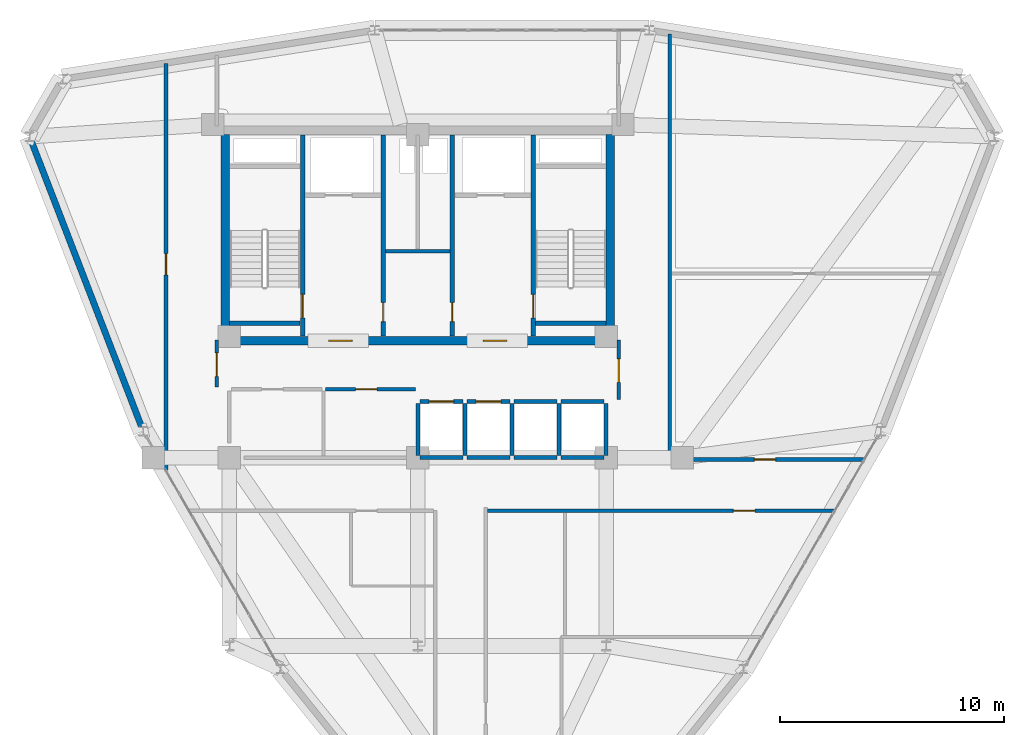
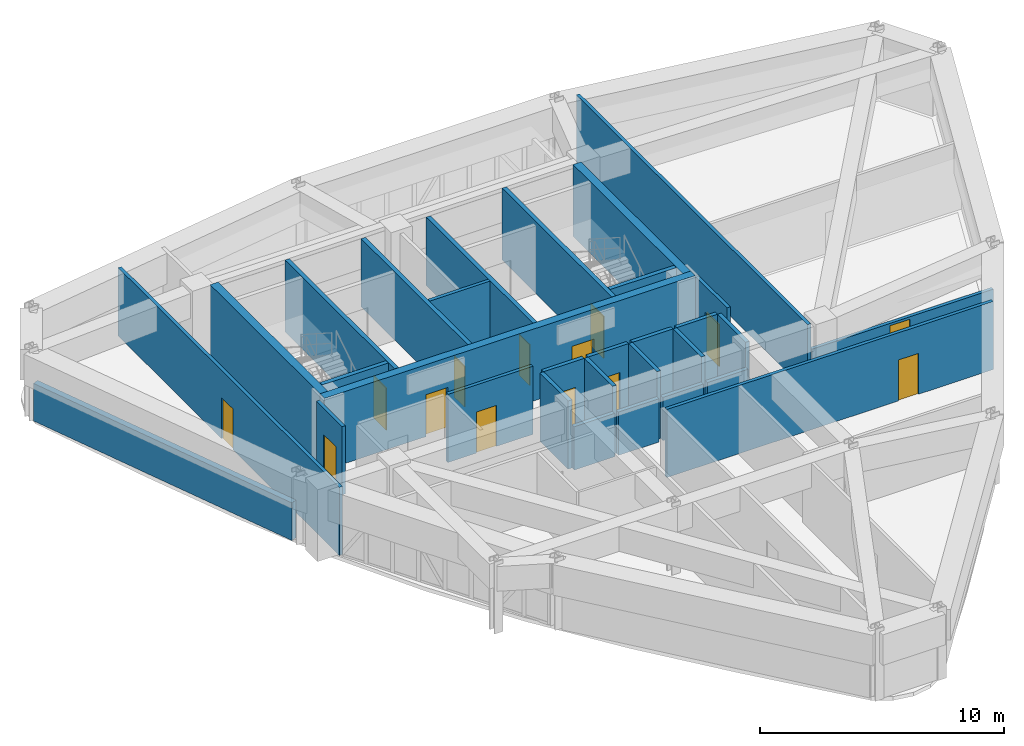
# One storey, part 17 of 19: 31 walls, 14 doors, 14 openings.
"""IFC4 building model written with IfcOpenShell, lengths in metres."""

from ifc_helpers import new_model, si_unit, derived_unit, direction, frame, frame_2d, origin, place, context, subcontext, project, spatial, rectangle, extrude, material, layer, layer_set, type_object, element, fill, save


model = new_model("IFC4")

# Units and contexts
model_context = context("Model", 3, precision=1e-05, world=origin(), true_north=direction((0.0, 1.0)))
body_context = subcontext(model_context, "Body", "Model", "MODEL_VIEW")
ifc_project = project(units=[si_unit("LENGTHUNIT", "METRE"), si_unit("AREAUNIT", "SQUARE_METRE"), si_unit("VOLUMEUNIT", "CUBIC_METRE"), si_unit("PLANEANGLEUNIT", "RADIAN"), si_unit("MASSUNIT", "GRAM", prefix="KILO"), derived_unit("THERMALTRANSMITTANCEUNIT", [(si_unit("POWERUNIT", "WATT"), 1), (si_unit("LENGTHUNIT", "METRE"), -2), (si_unit("THERMODYNAMICTEMPERATUREUNIT", "KELVIN"), -1)])], contexts=[model_context])

# Site, building, storey
site_placement = place(None, origin())
site = spatial("IfcSite", under=ifc_project, at=site_placement, CompositionType="ELEMENT")
building_placement = place(site_placement, origin())
building = spatial("IfcBuilding", under=site, at=building_placement, Name="Korsvarv Bourse and Concert Hall", CompositionType="ELEMENT")
storey_placement = place(building_placement, frame((0.0, 0.0, 223.800048828125)))
storey = spatial("IfcBuildingStorey", under=building, at=storey_placement, Name="L58", CompositionType="ELEMENT", Elevation=223.800048828125)

# Wall, openings, doors
ifc_material_1 = material(Name="Concrete C50/60", Category="concrete")
ifc_layer_1 = layer(ifc_material_1, 0.3798828125)
ifc_layer_set_1 = layer_set([ifc_layer_1], Name="Concrete C50/60")
wall_type_1 = type_object("IfcWallType", Name="WL-CORE-380", PredefinedType="SHEAR", material=ifc_layer_set_1)
wall_1_placement = place(storey_placement, frame((27.219970703125, 37.610107421875, 0.0), z_axis=(0.0, 0.0, 1.0), x_axis=(1.0, 0.0, 0.0)))
wall_1 = element("IfcWall", 1, at=wall_1_placement, inside=storey, type_object=wall_type_1, Name="L58 South Core Shear Wall", PredefinedType="SHEAR", context=body_context, shape_type="SweptSolid", body=[
    extrude(rectangle(XDim=17.56005859375, YDim=0.3798828125, at=frame_2d((8.780029296875, 0.0))), origin(), (0.0, 0.0, 1.0), 3.599853515625),
])
opening_1_placement = place(wall_1_placement, frame((4.804931640625, 0.0, 0.0)))
opening_1 = element("IfcOpeningElement", 2, at=opening_1_placement, cuts=wall_1, Name="Opening D-01", PredefinedType="OPENING", context=body_context, shape_type="SweptSolid", body=[
    extrude(rectangle(XDim=1.050048828125, YDim=2.10009765625, at=frame_2d((0.52490234375, 1.050048828125))), frame((0.0, 0.199951171875, 0.0), z_axis=(0.0, -1.0, 0.0), x_axis=(1.0, 0.0, 0.0)), (0.0, 0.0, 1.0), 0.39990234375),
])
opening_2_placement = place(wall_1_placement, frame((11.705078125, 0.0, 0.0)))
opening_2 = element("IfcOpeningElement", 3, at=opening_2_placement, cuts=wall_1, Name="Opening D-01", PredefinedType="OPENING", context=body_context, shape_type="SweptSolid", body=[
    extrude(rectangle(XDim=1.050048828125, YDim=2.10009765625, at=frame_2d((0.52490234375, 1.050048828125))), frame((0.0, 0.199951171875, 0.0), z_axis=(0.0, -1.0, 0.0), x_axis=(1.0, 0.0, 0.0)), (0.0, 0.0, 1.0), 0.39990234375),
])
ifc_material_2 = material(Name="Steel S355 fire door", Category="steel")
door_type_1 = type_object("IfcDoorType", Name="DR-FD60", OperationType="NOTDEFINED", PredefinedType="DOOR", material=ifc_material_2)
door_1_placement = place(opening_1_placement, frame((1.050048828125, 0.0, 0.0), z_axis=(0.0, 0.0, 1.0), x_axis=(-1.0, 0.0, 0.0)))
door_1 = element("IfcDoor", 4, at=door_1_placement, inside=storey, type_object=door_type_1, Name="L58 firefighting lobby fire door DR-L58-FFLW", OperationType="SINGLE_SWING_RIGHT", OverallHeight=2.10009765625, OverallWidth=1.050048828125, PredefinedType="DOOR", context=body_context, shape_type="SweptSolid", body=[
    extrude(rectangle(XDim=1.050048828125, YDim=2.10009765625, at=frame_2d((0.52490234375, 1.050048828125))), frame((0.0, 0.02490234375, 0.0), z_axis=(0.0, -1.0, 0.0), x_axis=(1.0, 0.0, 0.0)), (0.0, 0.0, 1.0), 0.050048828125),
])
fill(opening_1, door_1)
door_2_placement = place(opening_2_placement, frame((1.050048828125, 0.0, 0.0), z_axis=(0.0, 0.0, 1.0), x_axis=(-1.0, 0.0, 0.0)))
door_2 = element("IfcDoor", 5, at=door_2_placement, inside=storey, type_object=door_type_1, Name="L58 firefighting lobby fire door DR-L58-FFLE", OperationType="SINGLE_SWING_LEFT", OverallHeight=2.10009765625, OverallWidth=1.050048828125, PredefinedType="DOOR", context=body_context, shape_type="SweptSolid", body=[
    extrude(rectangle(XDim=1.050048828125, YDim=2.10009765625, at=frame_2d((0.52490234375, 1.050048828125))), frame((0.0, 0.02490234375, 0.0), z_axis=(0.0, -1.0, 0.0), x_axis=(1.0, 0.0, 0.0)), (0.0, 0.0, 1.0), 0.050048828125),
])
fill(opening_2, door_2)

# Walls
for number, where, z_axis, x_axis, name in (
    (6, (27.409912109375, 37.800048828125, 0.0), (0.0, 0.0, 1.0), (0.0, 1.0, 0.0), "L58 West Core Shear Wall"),
    (7, (44.590087890625, 37.800048828125, 0.0), (0.0, 0.0, 1.0), (0.0, 1.0, 0.0), "L58 East Core Shear Wall"),
):
    element("IfcWall", number, at=place(storey_placement, frame(where, z_axis=z_axis, x_axis=x_axis)), inside=storey, type_object=wall_type_1, Name=name, PredefinedType="SHEAR", context=body_context, shape_type="SweptSolid", body=[
        extrude(rectangle(XDim=9.0, YDim=0.3798828125, at=frame_2d((4.5, 0.0))), origin(), (0.0, 0.0, 1.0), 3.599853515625),
    ])

# Wall, opening, door
wall_2_placement = place(storey_placement, frame((30.860107421875, 37.81005859375, 0.0), z_axis=(0.0, 0.0, 1.0), x_axis=(0.0, 1.0, 0.0)))
wall_2 = element("IfcWall", 8, at=wall_2_placement, inside=storey, type_object=wall_type_1, Name="L58 stair shaft structural wall W-L58-ST1-E", PredefinedType="SHEAR", context=body_context, shape_type="SweptSolid", body=[
    extrude(rectangle(XDim=8.97998046875, YDim=0.199951171875, at=frame_2d((4.489990234375, 0.0))), origin(), (0.0, 0.0, 1.0), 3.599853515625),
])
opening_3_placement = place(wall_2_placement, frame((0.820068359375, 0.0, 0.0)))
opening_3 = element("IfcOpeningElement", 9, at=opening_3_placement, cuts=wall_2, Name="Opening D-01", PredefinedType="OPENING", context=body_context, shape_type="SweptSolid", body=[
    extrude(rectangle(XDim=1.050048828125, YDim=2.10009765625, at=frame_2d((0.52490234375, 1.050048828125))), frame((0.0, 0.10986328125, 0.0), z_axis=(0.0, -1.0, 0.0), x_axis=(1.0, 0.0, 0.0)), (0.0, 0.0, 1.0), 0.219970703125),
])
door_3_placement = place(opening_3_placement, origin())
door_3 = element("IfcDoor", 10, at=door_3_placement, inside=storey, type_object=door_type_1, Name="L58 interior door DR-L58-ST1", OperationType="SINGLE_SWING_LEFT", OverallHeight=2.10009765625, OverallWidth=1.050048828125, PredefinedType="DOOR", context=body_context, shape_type="SweptSolid", body=[
    extrude(rectangle(XDim=1.050048828125, YDim=2.10009765625, at=frame_2d((0.52490234375, 1.050048828125))), frame((0.0, 0.02490234375, 0.0), z_axis=(0.0, -1.0, 0.0), x_axis=(1.0, 0.0, 0.0)), (0.0, 0.0, 1.0), 0.050048828125),
])
fill(opening_3, door_3)

# Wall
wall_3_placement = place(storey_placement, frame((27.610107421875, 38.39990234375, 0.0), z_axis=(0.0, 0.0, 1.0), x_axis=(1.0, 0.0, 0.0)))
element("IfcWall", 11, at=wall_3_placement, inside=storey, type_object=wall_type_1, Name="L58 stair shaft structural wall W-L58-ST1-S", PredefinedType="SHEAR", context=body_context, shape_type="SweptSolid", body=[
    extrude(rectangle(XDim=3.139892578125, YDim=0.199951171875, at=frame_2d((1.56982421875, 0.0))), origin(), (0.0, 0.0, 1.0), 3.599853515625),
])

# Wall, opening, door
wall_4_placement = place(storey_placement, frame((41.139892578125, 37.81005859375, 0.0), z_axis=(0.0, 0.0, 1.0), x_axis=(0.0, 1.0, 0.0)))
wall_4 = element("IfcWall", 12, at=wall_4_placement, inside=storey, type_object=wall_type_1, Name="L58 stair shaft structural wall W-L58-ST2-W", PredefinedType="SHEAR", context=body_context, shape_type="SweptSolid", body=[
    extrude(rectangle(XDim=8.97998046875, YDim=0.199951171875, at=frame_2d((4.489990234375, 0.0))), origin(), (0.0, 0.0, 1.0), 3.599853515625),
])
opening_4_placement = place(wall_4_placement, frame((0.820068359375, 0.0, 0.0)))
opening_4 = element("IfcOpeningElement", 13, at=opening_4_placement, cuts=wall_4, Name="Opening D-01", PredefinedType="OPENING", context=body_context, shape_type="SweptSolid", body=[
    extrude(rectangle(XDim=1.050048828125, YDim=2.10009765625, at=frame_2d((0.52490234375, 1.050048828125))), frame((0.0, 0.10986328125, 0.0), z_axis=(0.0, -1.0, 0.0), x_axis=(1.0, 0.0, 0.0)), (0.0, 0.0, 1.0), 0.219970703125),
])
door_4_placement = place(opening_4_placement, frame((1.050048828125, 0.0, 0.0), z_axis=(0.0, 0.0, 1.0), x_axis=(-1.0, 0.0, 0.0)))
door_4 = element("IfcDoor", 14, at=door_4_placement, inside=storey, type_object=door_type_1, Name="L58 interior door DR-L58-ST2", OperationType="SINGLE_SWING_RIGHT", OverallHeight=2.10009765625, OverallWidth=1.050048828125, PredefinedType="DOOR", context=body_context, shape_type="SweptSolid", body=[
    extrude(rectangle(XDim=1.050048828125, YDim=2.10009765625, at=frame_2d((0.52490234375, 1.050048828125))), frame((0.0, 0.02490234375, 0.0), z_axis=(0.0, -1.0, 0.0), x_axis=(1.0, 0.0, 0.0)), (0.0, 0.0, 1.0), 0.050048828125),
])
fill(opening_4, door_4)

# Walls
wall_5_placement = place(storey_placement, frame((41.25, 38.39990234375, 0.0), z_axis=(0.0, 0.0, 1.0), x_axis=(1.0, 0.0, 0.0)))
element("IfcWall", 15, at=wall_5_placement, inside=storey, type_object=wall_type_1, Name="L58 stair shaft structural wall W-L58-ST2-S", PredefinedType="SHEAR", context=body_context, shape_type="SweptSolid", body=[
    extrude(rectangle(XDim=3.139892578125, YDim=0.199951171875, at=frame_2d((1.56982421875, 0.0))), origin(), (0.0, 0.0, 1.0), 3.599853515625),
])
ifc_material_3 = material(Name="Precast concrete C45/55 with fluted terracotta pier", Category="concrete")
ifc_layer_2 = layer(ifc_material_3, 0.280029296875)
ifc_layer_set_2 = layer_set([ifc_layer_2], Name="Precast concrete C45/55 with fluted terracotta pier")
wall_type_2 = type_object("IfcWallType", Name="WL-EXT-TC2", PredefinedType="SOLIDWALL", material=ifc_layer_set_2)
wall_6_placement = place(storey_placement, frame((18.775146484375, 46.495361328125, 0.0), z_axis=(0.0, 0.0, 1.0), x_axis=(0.359956541612, -0.93296907138, 0.0)))
element("IfcWall", 16, at=wall_6_placement, inside=storey, type_object=wall_type_2, Name="L58 terracotta exterior wall EW-L58-B06", PredefinedType="SOLIDWALL", context=body_context, shape_type="SweptSolid", body=[
    extrude(rectangle(XDim=13.621337890625, YDim=0.280029296875, at=frame_2d((6.810546875, 0.0))), origin(), (0.0, 0.0, 1.0), 1.8798828125),
])

# Wall, opening, door
ifc_material_4 = material(Name="Reinforced concrete blockwork C35/45 fire wall", Category="concrete")
ifc_layer_3 = layer(ifc_material_4, 0.199951171875)
ifc_layer_set_3 = layer_set([ifc_layer_3], Name="Reinforced concrete blockwork C35/45 fire wall")
wall_type_3 = type_object("IfcWallType", Name="WL-INT-EI120", PredefinedType="PARTITIONING", material=ifc_layer_set_3)
wall_7_placement = place(storey_placement, frame((34.4599609375, 37.81005859375, 0.0), z_axis=(0.0, 0.0, 1.0), x_axis=(0.0, 1.0, 0.0)))
wall_7 = element("IfcWall", 17, at=wall_7_placement, inside=storey, type_object=wall_type_3, Name="L58 interior partition wall W-L58-CSB-W", PredefinedType="PARTITIONING", context=body_context, shape_type="SweptSolid", body=[
    extrude(rectangle(XDim=8.97998046875, YDim=0.199951171875, at=frame_2d((4.489990234375, 0.0))), origin(), (0.0, 0.0, 1.0), 3.409912109375),
])
opening_5_placement = place(wall_7_placement, frame((0.64990234375, 0.0, 0.0)))
opening_5 = element("IfcOpeningElement", 18, at=opening_5_placement, cuts=wall_7, Name="Opening D-05", PredefinedType="OPENING", context=body_context, shape_type="SweptSolid", body=[
    extrude(rectangle(XDim=0.85009765625, YDim=2.050048828125, at=frame_2d((0.425048828125, 1.02490234375))), frame((0.0, 0.10986328125, 0.0), z_axis=(0.0, -1.0, 0.0), x_axis=(1.0, 0.0, 0.0)), (0.0, 0.0, 1.0), 0.219970703125),
])
door_type_2 = type_object("IfcDoorType", Name="DR-FD60-850X2050", OperationType="NOTDEFINED", PredefinedType="DOOR", material=ifc_material_2)
door_5_placement = place(opening_5_placement, frame((0.85009765625, 0.0, 0.0), z_axis=(0.0, 0.0, 1.0), x_axis=(-1.0, 0.0, 0.0)))
door_5 = element("IfcDoor", 19, at=door_5_placement, inside=storey, type_object=door_type_2, Name="L58 interior door DR-L58-CSB1", OperationType="SINGLE_SWING_LEFT", OverallHeight=2.050048828125, OverallWidth=0.85009765625, PredefinedType="DOOR", context=body_context, shape_type="SweptSolid", body=[
    extrude(rectangle(XDim=0.85009765625, YDim=2.050048828125, at=frame_2d((0.425048828125, 1.02490234375))), frame((0.0, 0.02490234375, 0.0), z_axis=(0.0, -1.0, 0.0), x_axis=(1.0, 0.0, 0.0)), (0.0, 0.0, 1.0), 0.050048828125),
])
fill(opening_5, door_5)

wall_8_placement = place(storey_placement, frame((37.5400390625, 37.81005859375, 0.0), z_axis=(0.0, 0.0, 1.0), x_axis=(0.0, 1.0, 0.0)))
wall_8 = element("IfcWall", 20, at=wall_8_placement, inside=storey, type_object=wall_type_3, Name="L58 interior partition wall W-L58-CSB-E", PredefinedType="PARTITIONING", context=body_context, shape_type="SweptSolid", body=[
    extrude(rectangle(XDim=8.97998046875, YDim=0.199951171875, at=frame_2d((4.489990234375, 0.0))), origin(), (0.0, 0.0, 1.0), 3.409912109375),
])
opening_6_placement = place(wall_8_placement, frame((0.64990234375, 0.0, 0.0)))
opening_6 = element("IfcOpeningElement", 21, at=opening_6_placement, cuts=wall_8, Name="Opening D-05", PredefinedType="OPENING", context=body_context, shape_type="SweptSolid", body=[
    extrude(rectangle(XDim=0.85009765625, YDim=2.050048828125, at=frame_2d((0.425048828125, 1.02490234375))), frame((0.0, 0.10986328125, 0.0), z_axis=(0.0, -1.0, 0.0), x_axis=(1.0, 0.0, 0.0)), (0.0, 0.0, 1.0), 0.219970703125),
])
door_6_placement = place(opening_6_placement, origin())
door_6 = element("IfcDoor", 22, at=door_6_placement, inside=storey, type_object=door_type_2, Name="L58 interior door DR-L58-CSB2", OperationType="SINGLE_SWING_RIGHT", OverallHeight=2.050048828125, OverallWidth=0.85009765625, PredefinedType="DOOR", context=body_context, shape_type="SweptSolid", body=[
    extrude(rectangle(XDim=0.85009765625, YDim=2.050048828125, at=frame_2d((0.425048828125, 1.02490234375))), frame((0.0, 0.02490234375, 0.0), z_axis=(0.0, -1.0, 0.0), x_axis=(1.0, 0.0, 0.0)), (0.0, 0.0, 1.0), 0.050048828125),
])
fill(opening_6, door_6)

# Wall
ifc_material_5 = material(Name="Double-stud fire-rated acoustic partition", Category="gypsum")
ifc_layer_4 = layer(ifc_material_5, 0.159912109375)
ifc_layer_set_4 = layer_set([ifc_layer_4], Name="Double-stud fire-rated acoustic partition")
wall_type_4 = type_object("IfcWallType", Name="WL-INT-EI60", PredefinedType="PARTITIONING", material=ifc_layer_set_4)
wall_9_placement = place(storey_placement, frame((34.570068359375, 41.60009765625, 0.0), z_axis=(0.0, 0.0, 1.0), x_axis=(1.0, 0.0, 0.0)))
element("IfcWall", 23, at=wall_9_placement, inside=storey, type_object=wall_type_4, Name="L58 interior partition wall W-L58-K1", PredefinedType="PARTITIONING", context=body_context, shape_type="SweptSolid", body=[
    extrude(rectangle(XDim=2.85986328125, YDim=0.159912109375, at=frame_2d((1.429931640625, 0.0))), origin(), (0.0, 0.0, 1.0), 3.409912109375),
])

# Wall, opening, door
wall_10_placement = place(storey_placement, frame((31.8798828125, 35.449951171875, 0.0), z_axis=(0.0, 0.0, 1.0), x_axis=(1.0, 0.0, 0.0)))
wall_10 = element("IfcWall", 24, at=wall_10_placement, inside=storey, type_object=wall_type_4, Name="L58 interior partition wall W-L58-FRD-N2", PredefinedType="PARTITIONING", context=body_context, shape_type="SweptSolid", body=[
    extrude(rectangle(XDim=4.02001953125, YDim=0.159912109375, at=frame_2d((2.010009765625, 0.0))), origin(), (0.0, 0.0, 1.0), 3.409912109375),
])
opening_7_placement = place(wall_10_placement, frame((1.35009765625, 0.0, 0.0)))
opening_7 = element("IfcOpeningElement", 25, at=opening_7_placement, cuts=wall_10, Name="Opening D-03", PredefinedType="OPENING", context=body_context, shape_type="SweptSolid", body=[
    extrude(rectangle(XDim=0.949951171875, YDim=2.050048828125, at=frame_2d((0.47509765625, 1.02490234375))), frame((0.0, 0.08984375, 0.0), z_axis=(0.0, -1.0, 0.0), x_axis=(1.0, 0.0, 0.0)), (0.0, 0.0, 1.0), 0.179931640625),
])
ifc_material_6 = material(Name="Nordic oak acoustic office door", Category="wood")
door_type_3 = type_object("IfcDoorType", Name="DR-INT-1", OperationType="NOTDEFINED", PredefinedType="DOOR", material=ifc_material_6)
door_7_placement = place(opening_7_placement, origin())
door_7 = element("IfcDoor", 26, at=door_7_placement, inside=storey, type_object=door_type_3, Name="L58 interior door DR-L58-FRDN2", OperationType="SINGLE_SWING_RIGHT", OverallHeight=2.050048828125, OverallWidth=0.949951171875, PredefinedType="DOOR", context=body_context, shape_type="SweptSolid", body=[
    extrude(rectangle(XDim=0.949951171875, YDim=2.050048828125, at=frame_2d((0.47509765625, 1.02490234375))), frame((0.0, 0.02490234375, 0.0), z_axis=(0.0, -1.0, 0.0), x_axis=(1.0, 0.0, 0.0)), (0.0, 0.0, 1.0), 0.050048828125),
])
fill(opening_7, door_7)

wall_11_placement = place(storey_placement, frame((27.0400390625, 35.5400390625, 0.0), z_axis=(0.0, 0.0, 1.0), x_axis=(0.0, 1.0, 0.0)))
wall_11 = element("IfcWall", 27, at=wall_11_placement, inside=storey, type_object=wall_type_4, Name="L58 interior partition wall W-L58-LOB-WL", PredefinedType="PARTITIONING", context=body_context, shape_type="SweptSolid", body=[
    extrude(rectangle(XDim=2.10986328125, YDim=0.159912109375, at=frame_2d((1.054931640625, 0.0))), origin(), (0.0, 0.0, 1.0), 3.409912109375),
])
opening_8_placement = place(wall_11_placement, frame((0.47998046875, 0.0, 0.0)))
opening_8 = element("IfcOpeningElement", 28, at=opening_8_placement, cuts=wall_11, Name="Opening D-01", PredefinedType="OPENING", context=body_context, shape_type="SweptSolid", body=[
    extrude(rectangle(XDim=1.050048828125, YDim=2.10009765625, at=frame_2d((0.52490234375, 1.050048828125))), frame((0.0, 0.08984375, 0.0), z_axis=(0.0, -1.0, 0.0), x_axis=(1.0, 0.0, 0.0)), (0.0, 0.0, 1.0), 0.179931640625),
])
door_8_placement = place(opening_8_placement, frame((1.050048828125, 0.0, 0.0), z_axis=(0.0, 0.0, 1.0), x_axis=(-1.0, 0.0, 0.0)))
door_8 = element("IfcDoor", 29, at=door_8_placement, inside=storey, type_object=door_type_1, Name="L58 interior door DR-L58-LOBW", OperationType="SINGLE_SWING_LEFT", OverallHeight=2.10009765625, OverallWidth=1.050048828125, PredefinedType="DOOR", context=body_context, shape_type="SweptSolid", body=[
    extrude(rectangle(XDim=1.050048828125, YDim=2.10009765625, at=frame_2d((0.52490234375, 1.050048828125))), frame((0.0, 0.02490234375, 0.0), z_axis=(0.0, -1.0, 0.0), x_axis=(1.0, 0.0, 0.0)), (0.0, 0.0, 1.0), 0.050048828125),
])
fill(opening_8, door_8)

wall_12_placement = place(storey_placement, frame((44.9599609375, 35.0, 0.0), z_axis=(0.0, 0.0, 1.0), x_axis=(0.0, 1.0, 0.0)))
wall_12 = element("IfcWall", 30, at=wall_12_placement, inside=storey, type_object=wall_type_4, Name="L58 interior partition wall W-L58-LOB-E", PredefinedType="PARTITIONING", context=body_context, shape_type="SweptSolid", body=[
    extrude(rectangle(XDim=2.64990234375, YDim=0.159912109375, at=frame_2d((1.324951171875, 0.0))), origin(), (0.0, 0.0, 1.0), 3.409912109375),
])
opening_9_placement = place(wall_12_placement, frame((0.75, 0.0, 0.0)))
opening_9 = element("IfcOpeningElement", 31, at=opening_9_placement, cuts=wall_12, Name="Opening D-01", PredefinedType="OPENING", context=body_context, shape_type="SweptSolid", body=[
    extrude(rectangle(XDim=1.050048828125, YDim=2.10009765625, at=frame_2d((0.52490234375, 1.050048828125))), frame((0.0, 0.08984375, 0.0), z_axis=(0.0, -1.0, 0.0), x_axis=(1.0, 0.0, 0.0)), (0.0, 0.0, 1.0), 0.179931640625),
])
door_9_placement = place(opening_9_placement, origin())
door_9 = element("IfcDoor", 32, at=door_9_placement, inside=storey, type_object=door_type_1, Name="L58 interior door DR-L58-LOBE", OperationType="SINGLE_SWING_RIGHT", OverallHeight=2.10009765625, OverallWidth=1.050048828125, PredefinedType="DOOR", context=body_context, shape_type="SweptSolid", body=[
    extrude(rectangle(XDim=1.050048828125, YDim=2.10009765625, at=frame_2d((0.52490234375, 1.050048828125))), frame((0.0, 0.02490234375, 0.0), z_axis=(0.0, -1.0, 0.0), x_axis=(1.0, 0.0, 0.0)), (0.0, 0.0, 1.0), 0.050048828125),
])
fill(opening_9, door_9)

# Wall
wall_13_placement = place(storey_placement, frame((47.22509765625, 32.31005859375, 0.0), z_axis=(0.0, 0.0, 1.0), x_axis=(0.0, 1.0, 0.0)))
element("IfcWall", 33, at=wall_13_placement, inside=storey, type_object=wall_type_4, Name="L58 interior partition wall W-L58-TCOR-01", PredefinedType="PARTITIONING", context=body_context, shape_type="SweptSolid", body=[
    extrude(rectangle(XDim=18.97802734375, YDim=0.159912109375, at=frame_2d((9.489013671875, 0.0))), origin(), (0.0, 0.0, 1.0), 3.409912109375),
])

# Wall, opening, door
wall_14_placement = place(storey_placement, frame((24.77490234375, 31.8369140625, 0.0), z_axis=(0.0, 0.0, 1.0), x_axis=(0.0, 1.0, 0.0)))
wall_14 = element("IfcWall", 34, at=wall_14_placement, inside=storey, type_object=wall_type_4, Name="L58 interior partition wall W-L58-TCOR-03", PredefinedType="PARTITIONING", context=body_context, shape_type="SweptSolid", body=[
    extrude(rectangle(XDim=18.135498046875, YDim=0.159912109375, at=frame_2d((9.06787109375, 0.0))), origin(), (0.0, 0.0, 1.0), 3.409912109375),
])
opening_10_placement = place(wall_14_placement, frame((8.7041015625, 0.0, 0.0)))
opening_10 = element("IfcOpeningElement", 35, at=opening_10_placement, cuts=wall_14, Name="Opening D-02", PredefinedType="OPENING", context=body_context, shape_type="SweptSolid", body=[
    extrude(rectangle(XDim=0.949951171875, YDim=2.050048828125, at=frame_2d((0.47509765625, 1.02490234375))), frame((0.0, 0.08984375, 0.0), z_axis=(0.0, -1.0, 0.0), x_axis=(1.0, 0.0, 0.0)), (0.0, 0.0, 1.0), 0.179931640625),
])
ifc_material_7 = material(Name="Timber and steel acoustic fire door", Category="wood")
door_type_4 = type_object("IfcDoorType", Name="DR-FD30", OperationType="NOTDEFINED", PredefinedType="DOOR", material=ifc_material_7)
door_10_placement = place(opening_10_placement, origin())
door_10 = element("IfcDoor", 36, at=door_10_placement, inside=storey, type_object=door_type_4, Name="L58 interior door DR-L58-TCOR-PH68", OperationType="SINGLE_SWING_RIGHT", OverallHeight=2.050048828125, OverallWidth=0.949951171875, PredefinedType="DOOR", context=body_context, shape_type="SweptSolid", body=[
    extrude(rectangle(XDim=0.949951171875, YDim=2.050048828125, at=frame_2d((0.47509765625, 1.02490234375))), frame((0.0, 0.02490234375, 0.0), z_axis=(0.0, -1.0, 0.0), x_axis=(1.0, 0.0, 0.0)), (0.0, 0.0, 1.0), 0.050048828125),
])
fill(opening_10, door_10)

wall_15_placement = place(storey_placement, frame((39.10693359375, 30.02490234375, 0.0), z_axis=(0.0, 0.0, 1.0), x_axis=(1.0, 0.0, 0.0)))
wall_15 = element("IfcWall", 37, at=wall_15_placement, inside=storey, type_object=wall_type_4, Name="L58 interior partition wall W-L58-TCOR-04", PredefinedType="PARTITIONING", context=body_context, shape_type="SweptSolid", body=[
    extrude(rectangle(XDim=15.46337890625, YDim=0.159912109375, at=frame_2d((7.731689453125, 0.0))), origin(), (0.0, 0.0, 1.0), 3.409912109375),
])
opening_11_placement = place(wall_15_placement, frame((10.966552734375, 0.0, 0.0)))
opening_11 = element("IfcOpeningElement", 38, at=opening_11_placement, cuts=wall_15, Name="Opening D-02", PredefinedType="OPENING", context=body_context, shape_type="SweptSolid", body=[
    extrude(rectangle(XDim=0.949951171875, YDim=2.050048828125, at=frame_2d((0.47509765625, 1.02490234375))), frame((0.0, 0.08984375, 0.0), z_axis=(0.0, -1.0, 0.0), x_axis=(1.0, 0.0, 0.0)), (0.0, 0.0, 1.0), 0.179931640625),
])
door_11_placement = place(opening_11_placement, origin())
door_11 = element("IfcDoor", 39, at=door_11_placement, inside=storey, type_object=door_type_4, Name="L58 interior door DR-L58-TCOR-PH35", OperationType="SINGLE_SWING_LEFT", OverallHeight=2.050048828125, OverallWidth=0.949951171875, PredefinedType="DOOR", context=body_context, shape_type="SweptSolid", body=[
    extrude(rectangle(XDim=0.949951171875, YDim=2.050048828125, at=frame_2d((0.47509765625, 1.02490234375))), frame((0.0, 0.02490234375, 0.0), z_axis=(0.0, -1.0, 0.0), x_axis=(1.0, 0.0, 0.0)), (0.0, 0.0, 1.0), 0.050048828125),
])
fill(opening_11, door_11)

wall_16_placement = place(storey_placement, frame((47.306884765625, 32.31494140625, 0.0), z_axis=(0.0, 0.0, 1.0), x_axis=(1.0, 0.0, 0.0)))
wall_16 = element("IfcWall", 40, at=wall_16_placement, inside=storey, type_object=wall_type_4, Name="L58 interior partition wall W-L58-TCOR-07", PredefinedType="PARTITIONING", context=body_context, shape_type="SweptSolid", body=[
    extrude(rectangle(XDim=8.585693359375, YDim=0.159912109375, at=frame_2d((4.29296875, 0.0))), origin(), (0.0, 0.0, 1.0), 2.169921875),
])
opening_12_placement = place(wall_16_placement, frame((3.6982421875, 0.0, 0.0)))
opening_12 = element("IfcOpeningElement", 41, at=opening_12_placement, cuts=wall_16, Name="Opening D-02", PredefinedType="OPENING", context=body_context, shape_type="SweptSolid", body=[
    extrude(rectangle(XDim=0.949951171875, YDim=2.050048828125, at=frame_2d((0.47509765625, 1.02490234375))), frame((0.0, 0.08984375, 0.0), z_axis=(0.0, -1.0, 0.0), x_axis=(1.0, 0.0, 0.0)), (0.0, 0.0, 1.0), 0.179931640625),
])
door_12_placement = place(opening_12_placement, origin())
door_12 = element("IfcDoor", 42, at=door_12_placement, inside=storey, type_object=door_type_4, Name="L58 interior door DR-L58-TCOR-PH51", OperationType="SINGLE_SWING_RIGHT", OverallHeight=2.050048828125, OverallWidth=0.949951171875, PredefinedType="DOOR", context=body_context, shape_type="SweptSolid", body=[
    extrude(rectangle(XDim=0.949951171875, YDim=2.050048828125, at=frame_2d((0.47509765625, 1.02490234375))), frame((0.0, 0.02490234375, 0.0), z_axis=(0.0, -1.0, 0.0), x_axis=(1.0, 0.0, 0.0)), (0.0, 0.0, 1.0), 0.050048828125),
])
fill(opening_12, door_12)

ifc_material_8 = material(Name="Gypsum-clad autoclaved concrete shaft wall C30/37", Category="concrete")
ifc_layer_5 = layer(ifc_material_8, 0.179931640625)
ifc_layer_set_5 = layer_set([ifc_layer_5], Name="Gypsum-clad autoclaved concrete shaft wall C30/37")
wall_type_5 = type_object("IfcWallType", Name="WL-INT-EI90", PredefinedType="PARTITIONING", material=ifc_layer_set_5)
wall_17_placement = place(storey_placement, frame((36.090087890625, 34.89990234375, 0.0), z_axis=(0.0, 0.0, 1.0), x_axis=(1.0, 0.0, 0.0)))
wall_17 = element("IfcWall", 43, at=wall_17_placement, inside=storey, type_object=wall_type_5, Name="L58 interior partition wall W-L58-SHFN-PH1", PredefinedType="PARTITIONING", context=body_context, shape_type="SweptSolid", body=[
    extrude(rectangle(XDim=1.919921875, YDim=0.179931640625, at=frame_2d((0.9599609375, 0.0))), origin(), (0.0, 0.0, 1.0), 3.409912109375),
])
opening_13_placement = place(wall_17_placement, frame((0.409912109375, 0.0, 0.0)))
opening_13 = element("IfcOpeningElement", 44, at=opening_13_placement, cuts=wall_17, Name="Opening LD-2", PredefinedType="OPENING", context=body_context, shape_type="SweptSolid", body=[
    extrude(rectangle(XDim=1.10009765625, YDim=2.10009765625, at=frame_2d((0.550048828125, 1.050048828125))), frame((0.0, 0.10009765625, 0.0), z_axis=(0.0, -1.0, 0.0), x_axis=(1.0, 0.0, 0.0)), (0.0, 0.0, 1.0), 0.199951171875),
])
ifc_material_9 = material(Name="Brushed stainless Steel S355 lift landing door", Category="steel")
door_type_5 = type_object("IfcDoorType", Name="DR-LIFT-P", OperationType="DOUBLE_DOOR_SLIDING", PredefinedType="DOOR", material=ifc_material_9)
door_13_placement = place(opening_13_placement, origin())
door_13 = element("IfcDoor", 45, at=door_13_placement, inside=storey, type_object=door_type_5, Name="L58 lift sliding landing door LD-L58-PH1", OperationType="DOUBLE_DOOR_SLIDING", OverallHeight=2.10009765625, OverallWidth=1.10009765625, PredefinedType="DOOR", context=body_context, shape_type="SweptSolid", body=[
    extrude(rectangle(XDim=1.10009765625, YDim=2.10009765625, at=frame_2d((0.550048828125, 1.050048828125))), frame((0.0, 0.02490234375, 0.0), z_axis=(0.0, -1.0, 0.0), x_axis=(1.0, 0.0, 0.0)), (0.0, 0.0, 1.0), 0.050048828125),
])
fill(opening_13, door_13)

# Walls
wall_18_placement = place(storey_placement, frame((36.090087890625, 32.39990234375, 0.0), z_axis=(0.0, 0.0, 1.0), x_axis=(1.0, 0.0, 0.0)))
element("IfcWall", 46, at=wall_18_placement, inside=storey, type_object=wall_type_5, Name="L58 interior partition wall W-L58-SHFS-PH1", PredefinedType="PARTITIONING", context=body_context, shape_type="SweptSolid", body=[
    extrude(rectangle(XDim=1.919921875, YDim=0.179931640625, at=frame_2d((0.9599609375, 0.0))), origin(), (0.0, 0.0, 1.0), 2.169921875),
])
wall_19_placement = place(storey_placement, frame((36.0, 32.489990234375, 0.0), z_axis=(0.0, 0.0, 1.0), x_axis=(0.0, 1.0, 0.0)))
element("IfcWall", 47, at=wall_19_placement, inside=storey, type_object=wall_type_5, Name="L58 interior partition wall W-L58-SHFW-PH1", PredefinedType="PARTITIONING", context=body_context, shape_type="SweptSolid", body=[
    extrude(rectangle(XDim=2.320068359375, YDim=0.179931640625, at=frame_2d((1.16015625, 0.0))), origin(), (0.0, 0.0, 1.0), 3.409912109375),
])

# Wall, opening, door
wall_20_placement = place(storey_placement, frame((38.18994140625, 34.89990234375, 0.0), z_axis=(0.0, 0.0, 1.0), x_axis=(1.0, 0.0, 0.0)))
wall_20 = element("IfcWall", 48, at=wall_20_placement, inside=storey, type_object=wall_type_5, Name="L58 interior partition wall W-L58-SHFN-PH2", PredefinedType="PARTITIONING", context=body_context, shape_type="SweptSolid", body=[
    extrude(rectangle(XDim=1.920166015625, YDim=0.179931640625, at=frame_2d((0.9599609375, 0.0))), origin(), (0.0, 0.0, 1.0), 3.409912109375),
])
opening_14_placement = place(wall_20_placement, frame((0.409912109375, 0.0, 0.0)))
opening_14 = element("IfcOpeningElement", 49, at=opening_14_placement, cuts=wall_20, Name="Opening LD-2", PredefinedType="OPENING", context=body_context, shape_type="SweptSolid", body=[
    extrude(rectangle(XDim=1.10009765625, YDim=2.10009765625, at=frame_2d((0.550048828125, 1.050048828125))), frame((0.0, 0.10009765625, 0.0), z_axis=(0.0, -1.0, 0.0), x_axis=(1.0, 0.0, 0.0)), (0.0, 0.0, 1.0), 0.199951171875),
])
door_14_placement = place(opening_14_placement, origin())
door_14 = element("IfcDoor", 50, at=door_14_placement, inside=storey, type_object=door_type_5, Name="L58 lift sliding landing door LD-L58-PH2", OperationType="DOUBLE_DOOR_SLIDING", OverallHeight=2.10009765625, OverallWidth=1.10009765625, PredefinedType="DOOR", context=body_context, shape_type="SweptSolid", body=[
    extrude(rectangle(XDim=1.10009765625, YDim=2.10009765625, at=frame_2d((0.550048828125, 1.050048828125))), frame((0.0, 0.02490234375, 0.0), z_axis=(0.0, -1.0, 0.0), x_axis=(1.0, 0.0, 0.0)), (0.0, 0.0, 1.0), 0.050048828125),
])
fill(opening_14, door_14)

# Walls
wall_21_placement = place(storey_placement, frame((38.18994140625, 32.39990234375, 0.0), z_axis=(0.0, 0.0, 1.0), x_axis=(1.0, 0.0, 0.0)))
element("IfcWall", 51, at=wall_21_placement, inside=storey, type_object=wall_type_5, Name="L58 interior partition wall W-L58-SHFS-PH2", PredefinedType="PARTITIONING", context=body_context, shape_type="SweptSolid", body=[
    extrude(rectangle(XDim=1.920166015625, YDim=0.179931640625, at=frame_2d((0.9599609375, 0.0))), origin(), (0.0, 0.0, 1.0), 2.169921875),
])
wall_22_placement = place(storey_placement, frame((38.10009765625, 32.489990234375, 0.0), z_axis=(0.0, 0.0, 1.0), x_axis=(0.0, 1.0, 0.0)))
element("IfcWall", 52, at=wall_22_placement, inside=storey, type_object=wall_type_5, Name="L58 interior partition wall W-L58-SHFW-PH2", PredefinedType="PARTITIONING", context=body_context, shape_type="SweptSolid", body=[
    extrude(rectangle(XDim=2.320068359375, YDim=0.179931640625, at=frame_2d((1.16015625, 0.0))), origin(), (0.0, 0.0, 1.0), 3.409912109375),
])
wall_23_placement = place(storey_placement, frame((40.2900390625, 34.89990234375, 0.0), z_axis=(0.0, 0.0, 1.0), x_axis=(1.0, 0.0, 0.0)))
element("IfcWall", 53, at=wall_23_placement, inside=storey, type_object=wall_type_5, Name="L58 interior partition wall W-L58-SHFN-PO1", PredefinedType="PARTITIONING", context=body_context, shape_type="SweptSolid", body=[
    extrude(rectangle(XDim=1.919921875, YDim=0.179931640625, at=frame_2d((0.9599609375, 0.0))), origin(), (0.0, 0.0, 1.0), 3.409912109375),
])
wall_24_placement = place(storey_placement, frame((40.2900390625, 32.39990234375, 0.0), z_axis=(0.0, 0.0, 1.0), x_axis=(1.0, 0.0, 0.0)))
element("IfcWall", 54, at=wall_24_placement, inside=storey, type_object=wall_type_5, Name="L58 interior partition wall W-L58-SHFS-PO1", PredefinedType="PARTITIONING", context=body_context, shape_type="SweptSolid", body=[
    extrude(rectangle(XDim=1.919921875, YDim=0.179931640625, at=frame_2d((0.9599609375, 0.0))), origin(), (0.0, 0.0, 1.0), 2.169921875),
])
wall_25_placement = place(storey_placement, frame((40.199951171875, 32.489990234375, 0.0), z_axis=(0.0, 0.0, 1.0), x_axis=(0.0, 1.0, 0.0)))
element("IfcWall", 55, at=wall_25_placement, inside=storey, type_object=wall_type_5, Name="L58 interior partition wall W-L58-SHFW-PO1", PredefinedType="PARTITIONING", context=body_context, shape_type="SweptSolid", body=[
    extrude(rectangle(XDim=2.320068359375, YDim=0.179931640625, at=frame_2d((1.16015625, 0.0))), origin(), (0.0, 0.0, 1.0), 3.409912109375),
])
wall_26_placement = place(storey_placement, frame((42.389892578125, 34.89990234375, 0.0), z_axis=(0.0, 0.0, 1.0), x_axis=(1.0, 0.0, 0.0)))
element("IfcWall", 56, at=wall_26_placement, inside=storey, type_object=wall_type_5, Name="L58 interior partition wall W-L58-SHFN-PO2", PredefinedType="PARTITIONING", context=body_context, shape_type="SweptSolid", body=[
    extrude(rectangle(XDim=1.920166015625, YDim=0.179931640625, at=frame_2d((0.9599609375, 0.0))), origin(), (0.0, 0.0, 1.0), 3.409912109375),
])
wall_27_placement = place(storey_placement, frame((42.389892578125, 32.39990234375, 0.0), z_axis=(0.0, 0.0, 1.0), x_axis=(1.0, 0.0, 0.0)))
element("IfcWall", 57, at=wall_27_placement, inside=storey, type_object=wall_type_5, Name="L58 interior partition wall W-L58-SHFS-PO2", PredefinedType="PARTITIONING", context=body_context, shape_type="SweptSolid", body=[
    extrude(rectangle(XDim=1.920166015625, YDim=0.179931640625, at=frame_2d((0.9599609375, 0.0))), origin(), (0.0, 0.0, 1.0), 2.169921875),
])
for number, where, z_axis, x_axis, name in (
    (58, (42.300048828125, 32.489990234375, 0.0), (0.0, 0.0, 1.0), (0.0, 1.0, 0.0), "L58 interior partition wall W-L58-SHFW-PO2"),
    (59, (44.39990234375, 32.489990234375, 0.0), (0.0, 0.0, 1.0), (0.0, 1.0, 0.0), "L58 interior partition wall W-L58-SHFE-END"),
):
    element("IfcWall", number, at=place(storey_placement, frame(where, z_axis=z_axis, x_axis=x_axis)), inside=storey, type_object=wall_type_5, Name=name, PredefinedType="PARTITIONING", context=body_context, shape_type="SweptSolid", body=[
        extrude(rectangle(XDim=2.320068359375, YDim=0.179931640625, at=frame_2d((1.16015625, 0.0))), origin(), (0.0, 0.0, 1.0), 3.409912109375),
    ])

save(model, "model.ifc")
